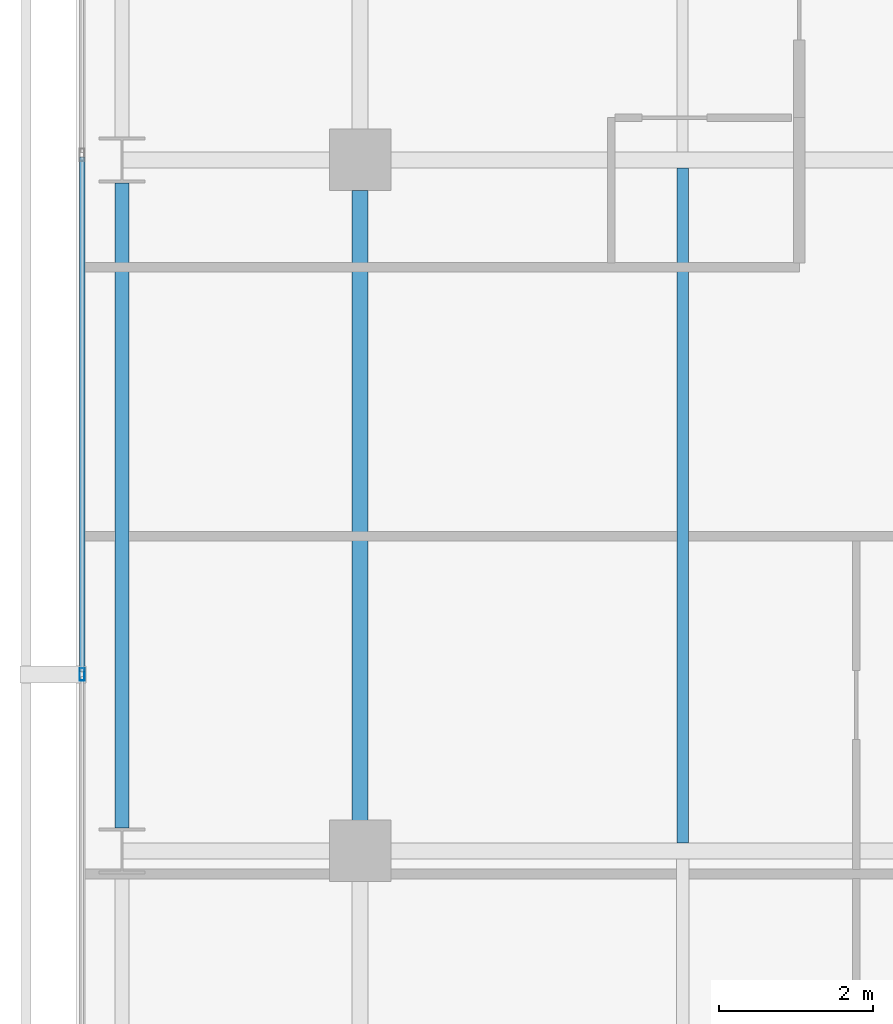
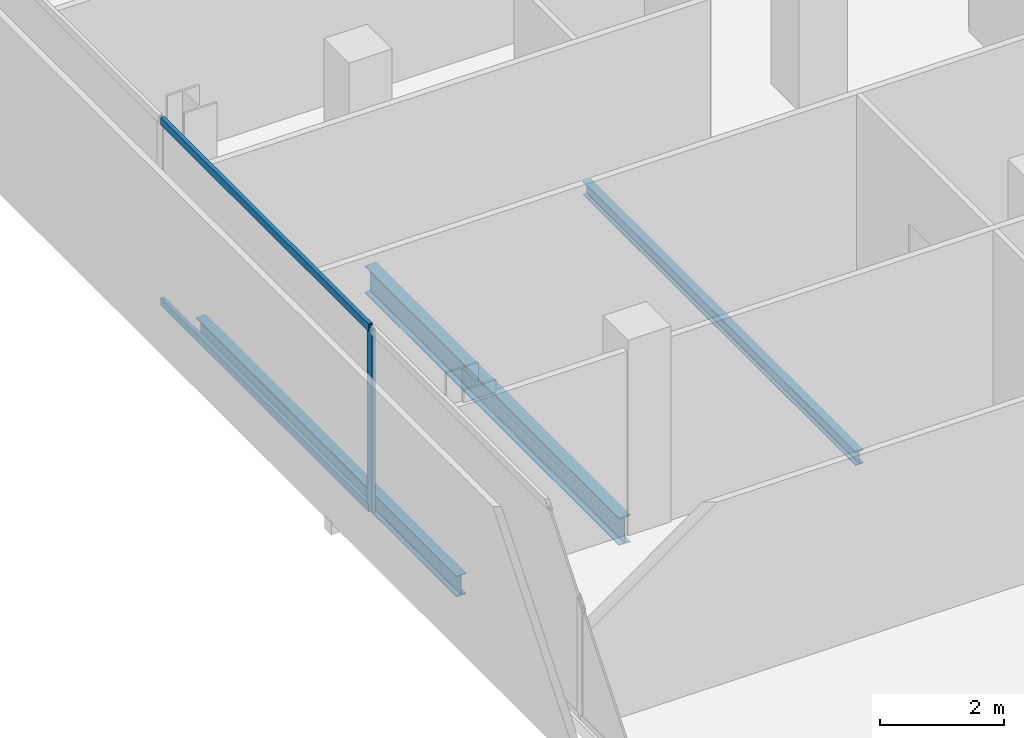
# One storey, part 10 of 34: 3 beams, 3 members, 1 element without a shape of its own.
"""IFC4 building model written with IfcOpenShell, lengths in metres."""

from ifc_helpers import new_model, si_unit, direction, frame, origin, origin_2d, place, context, subcontext, project, spatial, hollow_rectangle, i_section, extrude, material, layer, layer_set, material_profile, profile_set, type_object, element, aggregate, save


model = new_model("IFC4")

# Units and contexts
model_context = context("Model", 3, precision=1e-05, world=origin(), true_north=direction((0.0, 1.0)))
body_context = subcontext(model_context, "Body", "Model", "MODEL_VIEW")
ifc_project = project(units=[si_unit("LENGTHUNIT", "METRE"), si_unit("AREAUNIT", "SQUARE_METRE"), si_unit("VOLUMEUNIT", "CUBIC_METRE"), si_unit("PLANEANGLEUNIT", "RADIAN"), si_unit("MASSUNIT", "GRAM", prefix="KILO")], contexts=[model_context])

# Site, building, storey
site_placement = place(None, origin())
site = spatial("IfcSite", under=ifc_project, at=site_placement, CompositionType="ELEMENT")
building_placement = place(site_placement, origin())
building = spatial("IfcBuilding", under=site, at=building_placement, Name="Maruvema Waterfront Hotel and Observation Tower", CompositionType="ELEMENT")
storey_placement = place(building_placement, frame((0.0, 0.0, 215.949951171875)))
storey = spatial("IfcBuildingStorey", under=building, at=storey_placement, Name="L53", CompositionType="ELEMENT", Elevation=215.949951171875)

# Curtain wall, members
ifc_material_1 = material(Name="Anodised bronze aluminium and solar-control low-E IGU", Category="aluminium")
ifc_layer = layer(ifc_material_1, 0.159912109375, Name="Zone 2 Amber Inner Thermal Curtain Wall System CW-03")
ifc_layer_set = layer_set([ifc_layer], Name="Anodised bronze aluminium and solar-control low-E IGU")
curtain_wall_type = type_object("IfcCurtainWallType", Name="Zone 2 Amber Inner Thermal Curtain Wall System CW-03", PredefinedType="USERDEFINED", material=ifc_layer_set)
curtain_wall_placement = place(storey_placement, origin())
curtain_wall = element("IfcCurtainWall", 1, at=curtain_wall_placement, inside=storey, type_object=curtain_wall_type, Name="L53 Curtain Wall CW-L53-W", ObjectType="UNITISED CURTAIN WALL", PredefinedType="USERDEFINED")
ifc_material_2 = material(Name="Anodised architectural bronze aluminium", Category="aluminium")
ifc_material_profile_1 = material_profile(ifc_material_2, hollow_rectangle(XDim=0.070068359375, YDim=0.14990234375, WallThickness=0.00390625, at=origin_2d()), Name="ALU-T70x150")
ifc_profile_set_1 = profile_set([ifc_material_profile_1], Name="Anodised architectural bronze aluminium")
member_type_1 = type_object("IfcMemberType", Name="Curtain Wall Horizontal Transom ALU-T70x150", PredefinedType="USERDEFINED", material=ifc_profile_set_1)
member_1_placement = place(storey_placement, frame((13.179931640625, 36.03662109375, 0.030029296875), z_axis=(0.0, -1.0, 0.0), x_axis=(1.0, 0.0, 0.0)))
member_1 = element("IfcMember", 2, at=member_1_placement, type_object=member_type_1, Name="CW-03 transom 3.1", ObjectType="TRANSOM", PredefinedType="USERDEFINED", context=body_context, shape_type="SweptSolid", body=[
    extrude(hollow_rectangle(XDim=0.070068359375, YDim=0.14990234375, WallThickness=0.00390625, at=origin_2d()), origin(), (0.0, 0.0, 1.0), 6.70654296875),
])
member_2_placement = place(storey_placement, frame((13.179931640625, 36.03662109375, 3.580078125), z_axis=(0.0, -1.0, 0.0), x_axis=(1.0, 0.0, 0.0)))
member_2 = element("IfcMember", 3, at=member_2_placement, type_object=member_type_1, Name="CW-03 transom 3.2", ObjectType="TRANSOM", PredefinedType="USERDEFINED", context=body_context, shape_type="SweptSolid", body=[
    extrude(hollow_rectangle(XDim=0.070068359375, YDim=0.14990234375, WallThickness=0.00390625, at=origin_2d()), origin(), (0.0, 0.0, 1.0), 6.70654296875),
])
ifc_material_3 = material(Name="Anodised architectural bronze aluminium", Category="aluminium")
ifc_material_profile_2 = material_profile(ifc_material_3, hollow_rectangle(XDim=0.06494140625, YDim=0.1650390625, WallThickness=0.00390625, at=origin_2d()), Name="ALU-M65x165")
ifc_profile_set_2 = profile_set([ifc_material_profile_2], Name="Anodised architectural bronze aluminium")
member_type_2 = type_object("IfcMemberType", Name="Curtain Wall Primary Mullion ALU-M65x165", PredefinedType="MULLION", material=ifc_profile_set_2)
member_3_placement = place(storey_placement, frame((13.179931640625, 29.300048828125, 0.0), z_axis=(0.0, 0.0, 1.0), x_axis=(1.0, 0.0, 0.0)))
member_3 = element("IfcMember", 4, at=member_3_placement, type_object=member_type_2, Name="CW-03 mullion 4", PredefinedType="MULLION", context=body_context, shape_type="SweptSolid", body=[
    extrude(hollow_rectangle(XDim=0.06494140625, YDim=0.1650390625, WallThickness=0.00390625, at=origin_2d()), origin(), (0.0, 0.0, 1.0), 3.610107421875),
])
aggregate(curtain_wall, [member_3, member_1, member_2])

# Beams
ifc_material_4 = material(Name="Steel ASTM A572 Grade 50", Category="steel")
ifc_material_profile_3 = material_profile(ifc_material_4, i_section(OverallWidth=0.178955078125, OverallDepth=0.409912109375, WebThickness=0.0087890625, FlangeThickness=0.014404296875, FilletRadius=0.014892578125, at=origin_2d()), Name="W410x67.0")
ifc_profile_set_3 = profile_set([ifc_material_profile_3], Name="Steel ASTM A572 Grade 50")
beam_type_1 = type_object("IfcBeamType", Name="Perimeter Spandrel Beam W410x67.0", PredefinedType="SPANDREL", material=ifc_profile_set_3)
beam_1_placement = place(storey_placement, frame((13.699951171875, 27.300048828125, -0.445068359375), z_axis=(0.0, 1.0, 0.0), x_axis=(-1.0, 0.0, 0.0)))
element("IfcBeam", 5, at=beam_1_placement, inside=storey, type_object=beam_type_1, Name="L53 Floor Girder NS-03", PredefinedType="SPANDREL", context=body_context, shape_type="SweptSolid", body=[
    extrude(i_section(OverallWidth=0.178955078125, OverallDepth=0.409912109375, WebThickness=0.0087890625, FlangeThickness=0.014404296875, FilletRadius=0.014892578125, at=origin_2d()), origin(), (0.0, 0.0, 1.0), 8.39990234375),
])
ifc_material_5 = material(Name="Steel ASTM A572 Grade 50", Category="steel")
ifc_material_profile_4 = material_profile(ifc_material_5, i_section(OverallWidth=0.2109375, OverallDepth=0.5390625, WebThickness=0.01171875, FlangeThickness=0.018798828125, FilletRadius=0.014892578125, at=origin_2d()), Name="W530x109.0")
ifc_profile_set_4 = profile_set([ifc_material_profile_4], Name="Steel ASTM A572 Grade 50")
beam_type_2 = type_object("IfcBeamType", Name="Primary Floor Girder W530x109.0", PredefinedType="BEAM", material=ifc_profile_set_4)
beam_2_placement = place(storey_placement, frame((16.800048828125, 27.39990234375, -0.509521484375), z_axis=(0.0, 1.0, 0.0), x_axis=(-1.0, 0.0, 0.0)))
element("IfcBeam", 6, at=beam_2_placement, inside=storey, type_object=beam_type_2, Name="L53 Floor Girder NS-07", PredefinedType="BEAM", context=body_context, shape_type="SweptSolid", body=[
    extrude(i_section(OverallWidth=0.2109375, OverallDepth=0.5390625, WebThickness=0.01171875, FlangeThickness=0.018798828125, FilletRadius=0.014892578125, at=origin_2d()), origin(), (0.0, 0.0, 1.0), 8.2001953125),
])
ifc_material_6 = material(Name="Steel ASTM A572 Grade 50", Category="steel")
ifc_material_profile_5 = material_profile(ifc_material_6, i_section(OverallWidth=0.14794921875, OverallDepth=0.26611328125, WebThickness=0.007568359375, FlangeThickness=0.012939453125, FilletRadius=0.012939453125, at=origin_2d()), Name="W250x44.8")
ifc_profile_set_5 = profile_set([ifc_material_profile_5], Name="Steel ASTM A572 Grade 50")
beam_type_3 = type_object("IfcBeamType", Name="Secondary Floor Joist W250x44.8", PredefinedType="JOIST", material=ifc_profile_set_5)
beam_3_placement = place(storey_placement, frame((21.0, 27.10546875, -0.373046875), z_axis=(0.0, 1.0, 0.0), x_axis=(-1.0, 0.0, 0.0)))
element("IfcBeam", 7, at=beam_3_placement, inside=storey, type_object=beam_type_3, Name="L53 Secondary Floor Joist JS-03", PredefinedType="JOIST", context=body_context, shape_type="SweptSolid", body=[
    extrude(i_section(OverallWidth=0.14794921875, OverallDepth=0.26611328125, WebThickness=0.007568359375, FlangeThickness=0.012939453125, FilletRadius=0.012939453125, at=origin_2d()), origin(), (0.0, 0.0, 1.0), 8.7890625),
])

save(model, "model.ifc")
